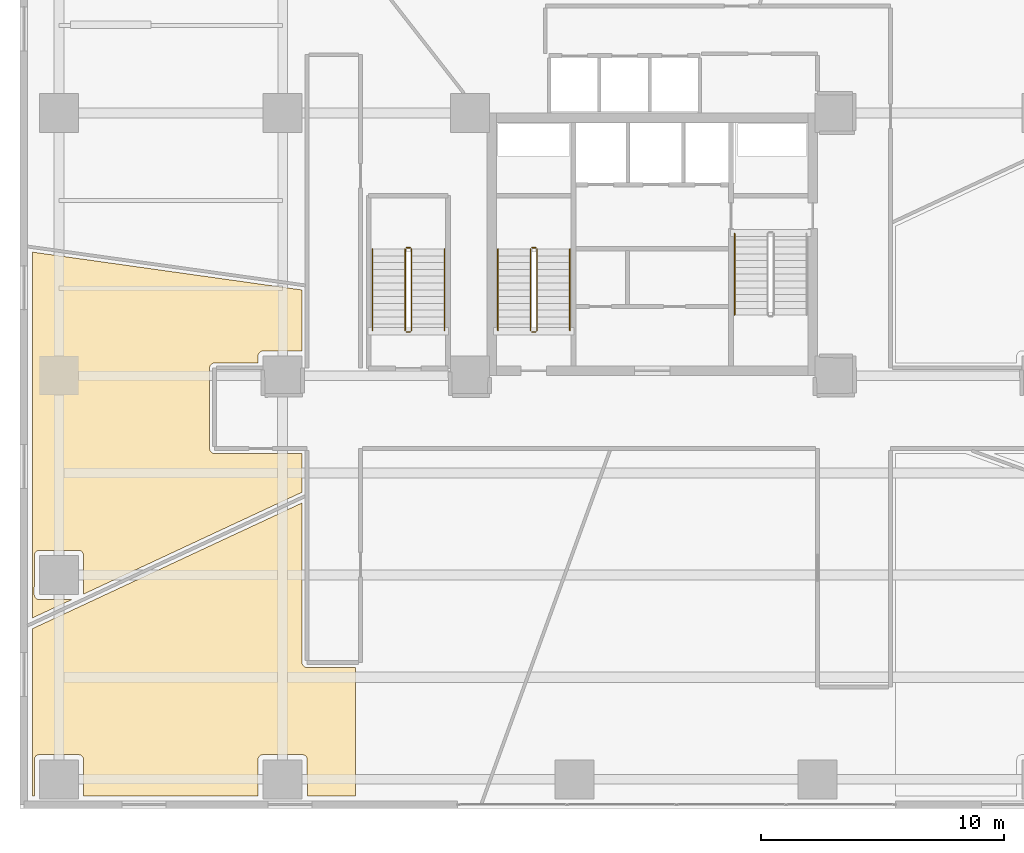
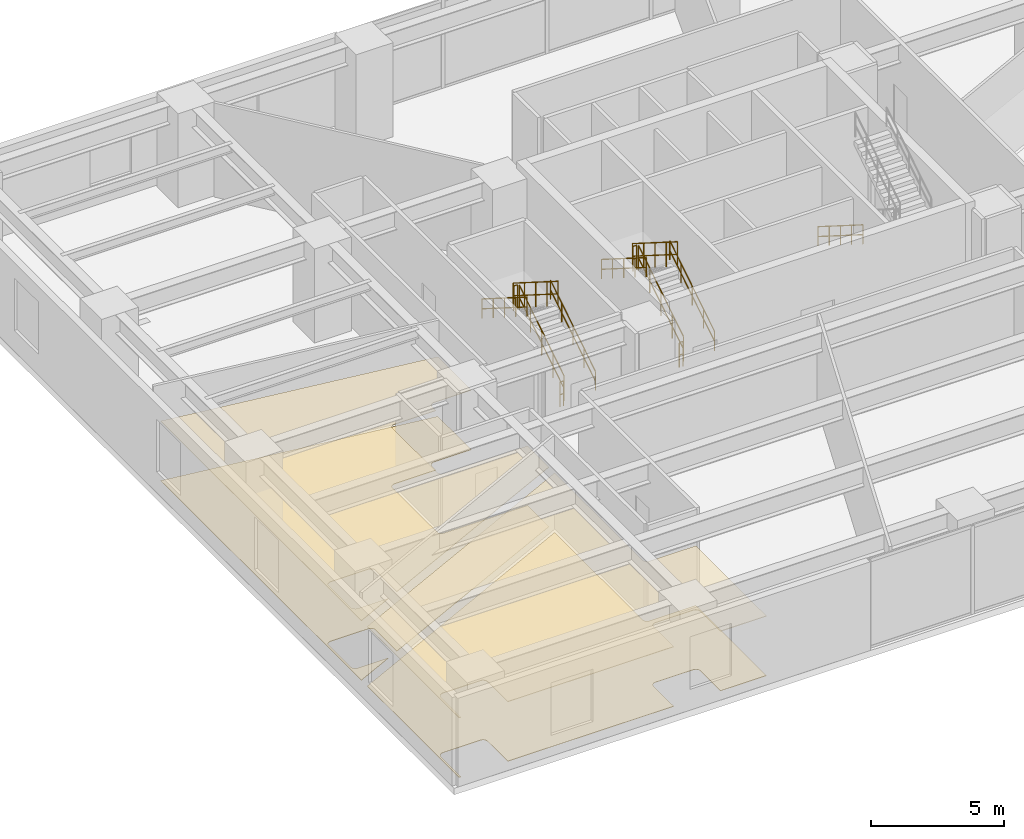
# One storey, part 23 of 25: 13 railings, 4 coverings.
"""IFC4 building model written with IfcOpenShell, lengths in metres."""

from ifc_helpers import new_model, si_unit, direction, frame, origin, origin_2d, place, context, subcontext, project, spatial, polyline, circle, outline, extrude, material, layer, layer_set, type_object, element, save


model = new_model("IFC4")

# Units and contexts
model_context = context("Model", 3, precision=1e-05, world=origin(), true_north=direction((0.0, 1.0)))
body_context = subcontext(model_context, "Body", "Model", "MODEL_VIEW")
ifc_project = project(units=[si_unit("LENGTHUNIT", "METRE"), si_unit("AREAUNIT", "SQUARE_METRE"), si_unit("VOLUMEUNIT", "CUBIC_METRE"), si_unit("PLANEANGLEUNIT", "RADIAN"), si_unit("MASSUNIT", "GRAM", prefix="KILO")], contexts=[model_context])

# Site, building, storey
site_placement = place(None, origin())
site = spatial("IfcSite", under=ifc_project, at=site_placement, CompositionType="ELEMENT")
building_placement = place(site_placement, origin())
building = spatial("IfcBuilding", under=site, at=building_placement, Name="Talar Marvaseh", CompositionType="ELEMENT")
storey_placement = place(building_placement, frame((0.0, 0.0, 5.199951171875)))
storey = spatial("IfcBuildingStorey", under=building, at=storey_placement, Name="L01", CompositionType="ELEMENT", Elevation=5.199951171875)

# Railings
ifc_material_1 = material(Name="Stainless Steel Grade 316", Category="steel")
railing_type_1 = type_object("IfcRailingType", Name="Brushed Stainless Wall Pitch Handrail 900", PredefinedType="HANDRAIL", material=ifc_material_1)
railing_1_placement = place(storey_placement, frame((22.610107421875, 27.64990234375, 0.177001953125)))
element("IfcRailing", 1, at=railing_1_placement, inside=storey, type_object=railing_type_1, Name="L01 ST-1 stair handrail 1", PredefinedType="HANDRAIL", context=body_context, shape_type="SweptSolid", body=[
    extrude(circle(Radius=0.02392578125, at=origin_2d()), frame((0.0, 0.0, 0.8759765625), z_axis=(0.0, 0.845389635667, 0.534150132366), x_axis=(-1.0, 0.0, 0.0)), (0.0, 0.0, 1.0), 3.974609375),
    extrude(circle(Radius=0.02392578125, at=origin_2d()), frame((0.0, 0.0, 0.42578125), z_axis=(0.0, 0.845389635667, 0.534150132366), x_axis=(-1.0, 0.0, 0.0)), (0.0, 0.0, 1.0), 3.974609375),
    extrude(circle(Radius=0.02099609375, at=origin_2d()), origin(), (0.0, 0.0, 1.0), 0.851806640625),
    extrude(circle(Radius=0.02099609375, at=origin_2d()), frame((0.0, 0.840087890625, 0.53076171875)), (0.0, 0.0, 1.0), 0.851806640625),
    extrude(circle(Radius=0.02099609375, at=origin_2d()), frame((0.0, 1.68017578125, 1.0615234375)), (0.0, 0.0, 1.0), 0.851806640625),
    extrude(circle(Radius=0.02099609375, at=origin_2d()), frame((0.0, 2.52001953125, 1.59228515625)), (0.0, 0.0, 1.0), 0.851806640625),
    extrude(circle(Radius=0.02099609375, at=origin_2d()), frame((0.0, 3.360107421875, 2.123046875)), (0.0, 0.0, 1.0), 0.851806640625),
])
railing_2_placement = place(storey_placement, frame((19.64990234375, 31.010009765625, 2.47705078125)))
element("IfcRailing", 2, at=railing_2_placement, inside=storey, type_object=railing_type_1, Name="L01 ST-1 stair handrail 2", PredefinedType="HANDRAIL", context=body_context, shape_type="SweptSolid", body=[
    extrude(circle(Radius=0.02392578125, at=origin_2d()), frame((0.0, 0.0, 0.8759765625), z_axis=(0.0, -0.845389635667, 0.534150132366), x_axis=(1.0, 0.0, 0.0)), (0.0, 0.0, 1.0), 3.974609375),
    extrude(circle(Radius=0.02392578125, at=origin_2d()), frame((0.0, 0.0, 0.42578125), z_axis=(0.0, -0.845389635667, 0.534150132366), x_axis=(1.0, 0.0, 0.0)), (0.0, 0.0, 1.0), 3.974609375),
    extrude(circle(Radius=0.02099609375, at=origin_2d()), origin(), (0.0, 0.0, 1.0), 0.851806640625),
    extrude(circle(Radius=0.02099609375, at=origin_2d()), frame((0.0, -0.840087890625, 0.53076171875)), (0.0, 0.0, 1.0), 0.851806640625),
    extrude(circle(Radius=0.02099609375, at=origin_2d()), frame((0.0, -1.68017578125, 1.0615234375)), (0.0, 0.0, 1.0), 0.851806640625),
    extrude(circle(Radius=0.02099609375, at=origin_2d()), frame((0.0, -2.52001953125, 1.59228515625)), (0.0, 0.0, 1.0), 0.851806640625),
    extrude(circle(Radius=0.02099609375, at=origin_2d()), frame((0.0, -3.360107421875, 2.123046875)), (0.0, 0.0, 1.0), 0.851806640625),
])
railing_3_placement = place(storey_placement, frame((29.389892578125, 31.64990234375, 0.177001953125)))
element("IfcRailing", 3, at=railing_3_placement, inside=storey, type_object=railing_type_1, Name="L01 ST-2 stair handrail 1", PredefinedType="HANDRAIL", context=body_context, shape_type="SweptSolid", body=[
    extrude(circle(Radius=0.02392578125, at=origin_2d()), frame((0.0, 0.0, 0.8759765625), z_axis=(0.0, -0.845372108799, 0.534177870812), x_axis=(1.0, 0.0, 0.0)), (0.0, 0.0, 1.0), 3.974365234375),
    extrude(circle(Radius=0.02392578125, at=origin_2d()), frame((0.0, 0.0, 0.42578125), z_axis=(0.0, -0.845372108799, 0.534177870812), x_axis=(1.0, 0.0, 0.0)), (0.0, 0.0, 1.0), 3.974365234375),
    extrude(circle(Radius=0.02099609375, at=origin_2d()), origin(), (0.0, 0.0, 1.0), 0.851806640625),
    extrude(circle(Radius=0.02099609375, at=origin_2d()), frame((0.0, -0.83984375, 0.53076171875)), (0.0, 0.0, 1.0), 0.851806640625),
    extrude(circle(Radius=0.02099609375, at=origin_2d()), frame((0.0, -1.679931640625, 1.0615234375)), (0.0, 0.0, 1.0), 0.851806640625),
    extrude(circle(Radius=0.02099609375, at=origin_2d()), frame((0.0, -2.52001953125, 1.59228515625)), (0.0, 0.0, 1.0), 0.851806640625),
    extrude(circle(Radius=0.02099609375, at=origin_2d()), frame((0.0, -3.35986328125, 2.123046875)), (0.0, 0.0, 1.0), 0.851806640625),
])
railing_4_placement = place(storey_placement, frame((17.449951171875, 27.64990234375, 0.177001953125)))
element("IfcRailing", 4, at=railing_4_placement, inside=storey, type_object=railing_type_1, Name="L01 ST-3 stair handrail 1", PredefinedType="HANDRAIL", context=body_context, shape_type="SweptSolid", body=[
    extrude(circle(Radius=0.02392578125, at=origin_2d()), frame((0.0, 0.0, 0.8759765625), z_axis=(0.0, 0.845389635667, 0.534150132366), x_axis=(-1.0, 0.0, 0.0)), (0.0, 0.0, 1.0), 3.974609375),
    extrude(circle(Radius=0.02392578125, at=origin_2d()), frame((0.0, 0.0, 0.42578125), z_axis=(0.0, 0.845389635667, 0.534150132366), x_axis=(-1.0, 0.0, 0.0)), (0.0, 0.0, 1.0), 3.974609375),
    extrude(circle(Radius=0.02099609375, at=origin_2d()), origin(), (0.0, 0.0, 1.0), 0.851806640625),
    extrude(circle(Radius=0.02099609375, at=origin_2d()), frame((0.0, 0.840087890625, 0.53076171875)), (0.0, 0.0, 1.0), 0.851806640625),
    extrude(circle(Radius=0.02099609375, at=origin_2d()), frame((0.0, 1.68017578125, 1.0615234375)), (0.0, 0.0, 1.0), 0.851806640625),
    extrude(circle(Radius=0.02099609375, at=origin_2d()), frame((0.0, 2.52001953125, 1.59228515625)), (0.0, 0.0, 1.0), 0.851806640625),
    extrude(circle(Radius=0.02099609375, at=origin_2d()), frame((0.0, 3.360107421875, 2.123046875)), (0.0, 0.0, 1.0), 0.851806640625),
])
railing_5_placement = place(storey_placement, frame((14.489990234375, 31.010009765625, 2.47705078125)))
element("IfcRailing", 5, at=railing_5_placement, inside=storey, type_object=railing_type_1, Name="L01 ST-3 stair handrail 2", PredefinedType="HANDRAIL", context=body_context, shape_type="SweptSolid", body=[
    extrude(circle(Radius=0.02392578125, at=origin_2d()), frame((0.0, 0.0, 0.8759765625), z_axis=(0.0, -0.845389635667, 0.534150132366), x_axis=(1.0, 0.0, 0.0)), (0.0, 0.0, 1.0), 3.974609375),
    extrude(circle(Radius=0.02392578125, at=origin_2d()), frame((0.0, 0.0, 0.42578125), z_axis=(0.0, -0.845389635667, 0.534150132366), x_axis=(1.0, 0.0, 0.0)), (0.0, 0.0, 1.0), 3.974609375),
    extrude(circle(Radius=0.02099609375, at=origin_2d()), origin(), (0.0, 0.0, 1.0), 0.851806640625),
    extrude(circle(Radius=0.02099609375, at=origin_2d()), frame((0.0, -0.840087890625, 0.53076171875)), (0.0, 0.0, 1.0), 0.851806640625),
    extrude(circle(Radius=0.02099609375, at=origin_2d()), frame((0.0, -1.68017578125, 1.0615234375)), (0.0, 0.0, 1.0), 0.851806640625),
    extrude(circle(Radius=0.02099609375, at=origin_2d()), frame((0.0, -2.52001953125, 1.59228515625)), (0.0, 0.0, 1.0), 0.851806640625),
    extrude(circle(Radius=0.02099609375, at=origin_2d()), frame((0.0, -3.360107421875, 2.123046875)), (0.0, 0.0, 1.0), 0.851806640625),
])
railing_type_2 = type_object("IfcRailingType", Name="Painted Steel Core Stair Well Guardrail 1150", PredefinedType="GUARDRAIL", material=ifc_material_1)
railing_6_placement = place(storey_placement, frame((21.260009765625, 27.64990234375, 0.177001953125)))
element("IfcRailing", 6, at=railing_6_placement, inside=storey, type_object=railing_type_2, Name="L01 ST-1 stair guard 1", PredefinedType="GUARDRAIL", context=body_context, shape_type="SweptSolid", body=[
    extrude(circle(Radius=0.02392578125, at=origin_2d()), frame((0.0, 0.0, 1.1259765625), z_axis=(0.0, 0.845389635667, 0.534150132366), x_axis=(-1.0, 0.0, 0.0)), (0.0, 0.0, 1.0), 3.974609375),
    extrude(circle(Radius=0.02392578125, at=origin_2d()), frame((0.0, 0.0, 0.55078125), z_axis=(0.0, 0.845389635667, 0.534150132366), x_axis=(-1.0, 0.0, 0.0)), (0.0, 0.0, 1.0), 3.974609375),
    extrude(circle(Radius=0.02099609375, at=origin_2d()), origin(), (0.0, 0.0, 1.0), 1.101806640625),
    extrude(circle(Radius=0.02099609375, at=origin_2d()), frame((0.0, 0.840087890625, 0.53076171875)), (0.0, 0.0, 1.0), 1.101806640625),
    extrude(circle(Radius=0.02099609375, at=origin_2d()), frame((0.0, 1.68017578125, 1.0615234375)), (0.0, 0.0, 1.0), 1.101806640625),
    extrude(circle(Radius=0.02099609375, at=origin_2d()), frame((0.0, 2.52001953125, 1.59228515625)), (0.0, 0.0, 1.0), 1.101806640625),
    extrude(circle(Radius=0.02099609375, at=origin_2d()), frame((0.0, 3.360107421875, 2.123046875)), (0.0, 0.0, 1.0), 1.101806640625),
])
railing_7_placement = place(storey_placement, frame((21.2099609375, 31.06005859375, 2.300048828125)))
element("IfcRailing", 7, at=railing_7_placement, inside=storey, type_object=railing_type_2, Name="L01 ST-1 stair guard 2", PredefinedType="GUARDRAIL", context=body_context, shape_type="SweptSolid", body=[
    extrude(circle(Radius=0.02392578125, at=origin_2d()), frame((0.0, 0.0, 1.1259765625), z_axis=(-1.0, 0.0, 0.0), x_axis=(0.0, -1.0, 0.0)), (0.0, 0.0, 1.0), 0.159912109375),
    extrude(circle(Radius=0.02392578125, at=origin_2d()), frame((0.0, 0.0, 0.55078125), z_axis=(-1.0, 0.0, 0.0), x_axis=(0.0, -1.0, 0.0)), (0.0, 0.0, 1.0), 0.159912109375),
    extrude(circle(Radius=0.02099609375, at=origin_2d()), origin(), (0.0, 0.0, 1.0), 1.101806640625),
    extrude(circle(Radius=0.02099609375, at=origin_2d()), frame((-0.159912109375, 0.0, 0.0)), (0.0, 0.0, 1.0), 1.101806640625),
])
railing_8_placement = place(storey_placement, frame((21.0, 31.010009765625, 2.47705078125)))
element("IfcRailing", 8, at=railing_8_placement, inside=storey, type_object=railing_type_2, Name="L01 ST-1 stair guard 3", PredefinedType="GUARDRAIL", context=body_context, shape_type="SweptSolid", body=[
    extrude(circle(Radius=0.02392578125, at=origin_2d()), frame((0.0, 0.0, 1.1259765625), z_axis=(0.0, -0.845389635667, 0.534150132366), x_axis=(1.0, 0.0, 0.0)), (0.0, 0.0, 1.0), 3.974609375),
    extrude(circle(Radius=0.02392578125, at=origin_2d()), frame((0.0, 0.0, 0.55078125), z_axis=(0.0, -0.845389635667, 0.534150132366), x_axis=(1.0, 0.0, 0.0)), (0.0, 0.0, 1.0), 3.974609375),
    extrude(circle(Radius=0.02099609375, at=origin_2d()), origin(), (0.0, 0.0, 1.0), 1.101806640625),
    extrude(circle(Radius=0.02099609375, at=origin_2d()), frame((0.0, -0.840087890625, 0.53076171875)), (0.0, 0.0, 1.0), 1.101806640625),
    extrude(circle(Radius=0.02099609375, at=origin_2d()), frame((0.0, -1.68017578125, 1.0615234375)), (0.0, 0.0, 1.0), 1.101806640625),
    extrude(circle(Radius=0.02099609375, at=origin_2d()), frame((0.0, -2.52001953125, 1.59228515625)), (0.0, 0.0, 1.0), 1.101806640625),
    extrude(circle(Radius=0.02099609375, at=origin_2d()), frame((0.0, -3.360107421875, 2.123046875)), (0.0, 0.0, 1.0), 1.101806640625),
])
railing_9_placement = place(storey_placement, frame((21.2099609375, 27.60009765625, 0.0)))
element("IfcRailing", 9, at=railing_9_placement, inside=storey, type_object=railing_type_2, Name="L01 ST-1 stair guard 4", PredefinedType="GUARDRAIL", context=body_context, shape_type="SweptSolid", body=[
    extrude(circle(Radius=0.02392578125, at=origin_2d()), frame((0.0, 0.0, 1.1259765625), z_axis=(-1.0, 0.0, 0.0), x_axis=(0.0, -1.0, 0.0)), (0.0, 0.0, 1.0), 0.159912109375),
    extrude(circle(Radius=0.02392578125, at=origin_2d()), frame((0.0, 0.0, 0.55078125), z_axis=(-1.0, 0.0, 0.0), x_axis=(0.0, -1.0, 0.0)), (0.0, 0.0, 1.0), 0.159912109375),
    extrude(circle(Radius=0.02099609375, at=origin_2d()), origin(), (0.0, 0.0, 1.0), 1.101806640625),
    extrude(circle(Radius=0.02099609375, at=origin_2d()), frame((-0.159912109375, 0.0, 0.0)), (0.0, 0.0, 1.0), 1.101806640625),
])
railing_10_placement = place(storey_placement, frame((16.10009765625, 27.64990234375, 0.177001953125)))
element("IfcRailing", 10, at=railing_10_placement, inside=storey, type_object=railing_type_2, Name="L01 ST-3 stair guard 1", PredefinedType="GUARDRAIL", context=body_context, shape_type="SweptSolid", body=[
    extrude(circle(Radius=0.02392578125, at=origin_2d()), frame((0.0, 0.0, 1.1259765625), z_axis=(0.0, 0.845389635667, 0.534150132366), x_axis=(-1.0, 0.0, 0.0)), (0.0, 0.0, 1.0), 3.974609375),
    extrude(circle(Radius=0.02392578125, at=origin_2d()), frame((0.0, 0.0, 0.55078125), z_axis=(0.0, 0.845389635667, 0.534150132366), x_axis=(-1.0, 0.0, 0.0)), (0.0, 0.0, 1.0), 3.974609375),
    extrude(circle(Radius=0.02099609375, at=origin_2d()), origin(), (0.0, 0.0, 1.0), 1.101806640625),
    extrude(circle(Radius=0.02099609375, at=origin_2d()), frame((0.0, 0.840087890625, 0.53076171875)), (0.0, 0.0, 1.0), 1.101806640625),
    extrude(circle(Radius=0.02099609375, at=origin_2d()), frame((0.0, 1.68017578125, 1.0615234375)), (0.0, 0.0, 1.0), 1.101806640625),
    extrude(circle(Radius=0.02099609375, at=origin_2d()), frame((0.0, 2.52001953125, 1.59228515625)), (0.0, 0.0, 1.0), 1.101806640625),
    extrude(circle(Radius=0.02099609375, at=origin_2d()), frame((0.0, 3.360107421875, 2.123046875)), (0.0, 0.0, 1.0), 1.101806640625),
])
railing_11_placement = place(storey_placement, frame((16.050048828125, 31.06005859375, 2.300048828125)))
element("IfcRailing", 11, at=railing_11_placement, inside=storey, type_object=railing_type_2, Name="L01 ST-3 stair guard 2", PredefinedType="GUARDRAIL", context=body_context, shape_type="SweptSolid", body=[
    extrude(circle(Radius=0.02392578125, at=origin_2d()), frame((0.0, 0.0, 1.1259765625), z_axis=(-1.0, 0.0, 0.0), x_axis=(0.0, -1.0, 0.0)), (0.0, 0.0, 1.0), 0.16015625),
    extrude(circle(Radius=0.02392578125, at=origin_2d()), frame((0.0, 0.0, 0.55078125), z_axis=(-1.0, 0.0, 0.0), x_axis=(0.0, -1.0, 0.0)), (0.0, 0.0, 1.0), 0.16015625),
    extrude(circle(Radius=0.02099609375, at=origin_2d()), origin(), (0.0, 0.0, 1.0), 1.101806640625),
    extrude(circle(Radius=0.02099609375, at=origin_2d()), frame((-0.16015625, 0.0, 0.0)), (0.0, 0.0, 1.0), 1.101806640625),
])
railing_12_placement = place(storey_placement, frame((15.840087890625, 31.010009765625, 2.47705078125)))
element("IfcRailing", 12, at=railing_12_placement, inside=storey, type_object=railing_type_2, Name="L01 ST-3 stair guard 3", PredefinedType="GUARDRAIL", context=body_context, shape_type="SweptSolid", body=[
    extrude(circle(Radius=0.02392578125, at=origin_2d()), frame((0.0, 0.0, 1.1259765625), z_axis=(0.0, -0.845389635667, 0.534150132366), x_axis=(1.0, 0.0, 0.0)), (0.0, 0.0, 1.0), 3.974609375),
    extrude(circle(Radius=0.02392578125, at=origin_2d()), frame((0.0, 0.0, 0.55078125), z_axis=(0.0, -0.845389635667, 0.534150132366), x_axis=(1.0, 0.0, 0.0)), (0.0, 0.0, 1.0), 3.974609375),
    extrude(circle(Radius=0.02099609375, at=origin_2d()), origin(), (0.0, 0.0, 1.0), 1.101806640625),
    extrude(circle(Radius=0.02099609375, at=origin_2d()), frame((0.0, -0.840087890625, 0.53076171875)), (0.0, 0.0, 1.0), 1.101806640625),
    extrude(circle(Radius=0.02099609375, at=origin_2d()), frame((0.0, -1.68017578125, 1.0615234375)), (0.0, 0.0, 1.0), 1.101806640625),
    extrude(circle(Radius=0.02099609375, at=origin_2d()), frame((0.0, -2.52001953125, 1.59228515625)), (0.0, 0.0, 1.0), 1.101806640625),
    extrude(circle(Radius=0.02099609375, at=origin_2d()), frame((0.0, -3.360107421875, 2.123046875)), (0.0, 0.0, 1.0), 1.101806640625),
])
railing_13_placement = place(storey_placement, frame((16.050048828125, 27.60009765625, 0.0)))
element("IfcRailing", 13, at=railing_13_placement, inside=storey, type_object=railing_type_2, Name="L01 ST-3 stair guard 4", PredefinedType="GUARDRAIL", context=body_context, shape_type="SweptSolid", body=[
    extrude(circle(Radius=0.02392578125, at=origin_2d()), frame((0.0, 0.0, 1.1259765625), z_axis=(-1.0, 0.0, 0.0), x_axis=(0.0, -1.0, 0.0)), (0.0, 0.0, 1.0), 0.16015625),
    extrude(circle(Radius=0.02392578125, at=origin_2d()), frame((0.0, 0.0, 0.55078125), z_axis=(-1.0, 0.0, 0.0), x_axis=(0.0, -1.0, 0.0)), (0.0, 0.0, 1.0), 0.16015625),
    extrude(circle(Radius=0.02099609375, at=origin_2d()), origin(), (0.0, 0.0, 1.0), 1.101806640625),
    extrude(circle(Radius=0.02099609375, at=origin_2d()), frame((-0.16015625, 0.0, 0.0)), (0.0, 0.0, 1.0), 1.101806640625),
])

# Coverings
ifc_material_2 = material(Name="Mineral Fibre Acoustic Ceiling")
ifc_layer_1 = layer(ifc_material_2, 0.02490234375)
ifc_layer_set_1 = layer_set([ifc_layer_1], Name="Mineral Fibre Acoustic Ceiling")
covering_type_1 = type_object("IfcCoveringType", Name="Perforated Mineral Fibre Acoustic Suspended Ceiling", PredefinedType="CEILING", material=ifc_layer_set_1)
covering_1_placement = place(storey_placement, frame((0.0, 0.0, 2.719970703125)))
element("IfcCovering", 14, at=covering_1_placement, inside=storey, type_object=covering_type_1, Name="L01 Accessible WC Block Acoustic Ceiling", PredefinedType="CEILING", context=body_context, shape_type="SweptSolid", body=[
    extrude(outline(polyline([(0.6953125, 16.614501953125), (0.71142578125, 16.605712890625), (0.728271484375, 16.598388671875), (0.745849609375, 16.592529296875), (0.763916015625, 16.58837890625), (0.781982421875, 16.585693359375), (0.800537109375, 16.5849609375), (2.127197265625, 16.588623046875), (0.510009765625, 15.83447265625), (0.510009765625, 30.88037109375), (11.60009765625, 29.32177734375), (11.60009765625, 26.81494140625), (11.599853515625, 26.81494140625), (9.99560546875, 26.814453125), (9.976806640625, 26.8134765625), (9.958251953125, 26.810791015625), (9.940185546875, 26.806396484375), (9.92236328125, 26.800537109375), (9.9052734375, 26.79296875), (9.888916015625, 26.78369140625), (9.873779296875, 26.77294921875), (9.859375, 26.760986328125), (9.84619140625, 26.74755859375), (9.83447265625, 26.73291015625), (9.823974609375, 26.718505859375), (9.812255859375, 26.700927734375), (9.802490234375, 26.68212890625), (9.794921875, 26.662353515625), (9.78955078125, 26.64208984375), (9.7861328125, 26.62109375), (9.784912109375, 26.60009765625), (9.784912109375, 26.320068359375), (8.0, 26.320068359375), (7.98046875, 26.319091796875), (7.9609375, 26.316162109375), (7.94189453125, 26.311279296875), (7.923583984375, 26.3046875), (7.90576171875, 26.29638671875), (7.888916015625, 26.286376953125), (7.873046875, 26.274658203125), (7.858642578125, 26.261474609375), (7.845458984375, 26.246826171875), (7.833740234375, 26.231201171875), (7.823486328125, 26.21435546875), (7.815185546875, 26.196533203125), (7.80859375, 26.177978515625), (7.8037109375, 26.158935546875), (7.801025390625, 26.1396484375), (7.800048828125, 26.1201171875), (7.800048828125, 22.800048828125), (7.801025390625, 22.780517578125), (7.8037109375, 22.760986328125), (7.80859375, 22.741943359375), (7.815185546875, 22.723388671875), (7.823486328125, 22.705810546875), (7.833740234375, 22.68896484375), (7.845458984375, 22.673095703125), (7.858642578125, 22.65869140625), (7.873046875, 22.6455078125), (7.888916015625, 22.6337890625), (7.90576171875, 22.62353515625), (7.923583984375, 22.615234375), (7.94189453125, 22.608642578125), (7.9609375, 22.603759765625), (7.98046875, 22.60107421875), (8.0, 22.60009765625), (11.60009765625, 22.60009765625), (11.60009765625, 21.005859375), (2.610595703125, 16.81396484375), (2.610595703125, 18.41064453125), (2.609619140625, 18.43017578125), (2.606689453125, 18.44970703125), (2.60205078125, 18.46875), (2.595458984375, 18.487060546875), (2.5869140625, 18.5048828125), (2.576904296875, 18.521728515625), (2.565185546875, 18.53759765625), (2.552001953125, 18.552001953125), (2.53759765625, 18.565185546875), (2.521728515625, 18.576904296875), (2.5048828125, 18.5869140625), (2.487060546875, 18.595458984375), (2.46875, 18.60205078125), (2.44970703125, 18.606689453125), (2.43017578125, 18.609619140625), (2.41064453125, 18.610595703125), (0.789306640625, 18.610595703125), (0.769775390625, 18.609619140625), (0.75048828125, 18.606689453125), (0.7314453125, 18.60205078125), (0.712890625, 18.595458984375), (0.6953125, 18.587158203125), (0.678466796875, 18.576904296875), (0.66259765625, 18.5654296875), (0.648193359375, 18.55224609375), (0.635009765625, 18.53759765625), (0.623291015625, 18.52197265625), (0.61328125, 18.505126953125), (0.604736328125, 18.487548828125), (0.59814453125, 18.468994140625), (0.59326171875, 18.4501953125), (0.59033203125, 18.4306640625), (0.58935546875, 18.4111328125), (0.585205078125, 16.799072265625), (0.5859375, 16.780517578125), (0.58837890625, 16.761962890625), (0.5927734375, 16.743896484375), (0.5986328125, 16.726318359375), (0.606201171875, 16.709228515625), (0.615234375, 16.693115234375), (0.625732421875, 16.677734375), (0.6376953125, 16.663330078125), (0.65087890625, 16.650390625), (0.665771484375, 16.63671875), (0.679931640625, 16.625), (0.6953125, 16.614501953125)])), origin(), (0.0, 0.0, 1.0), 0.025146484375),
])
covering_2_placement = place(storey_placement, frame((0.0, 0.0, 2.719970703125)))
element("IfcCovering", 15, at=covering_2_placement, inside=storey, type_object=covering_type_1, Name="L01 Station Mezzanine Balcony Foyer Acoustic Ceiling", PredefinedType="CEILING", context=body_context, shape_type="SweptSolid", body=[
    extrude(outline(polyline([(11.60009765625, 14.0), (11.60107421875, 13.98046875), (11.603759765625, 13.9609375), (11.608642578125, 13.94189453125), (11.615234375, 13.923583984375), (11.62353515625, 13.90576171875), (11.6337890625, 13.888916015625), (11.6455078125, 13.873046875), (11.65869140625, 13.858642578125), (11.673095703125, 13.845458984375), (11.68896484375, 13.833740234375), (11.705810546875, 13.823486328125), (11.723388671875, 13.815185546875), (11.741943359375, 13.80859375), (11.760986328125, 13.8037109375), (11.780517578125, 13.801025390625), (11.800048828125, 13.800048828125), (13.800048828125, 13.800048828125), (13.800048828125, 8.510009765625), (11.814697265625, 8.510009765625), (11.810546875, 10.010986328125), (11.8095703125, 10.03076171875), (11.806640625, 10.050048828125), (11.802001953125, 10.069091796875), (11.795166015625, 10.08740234375), (11.786865234375, 10.105224609375), (11.776611328125, 10.1220703125), (11.764892578125, 10.1376953125), (11.751708984375, 10.152099609375), (11.7373046875, 10.165283203125), (11.721435546875, 10.177001953125), (11.70458984375, 10.18701171875), (11.68701171875, 10.1953125), (11.668701171875, 10.201904296875), (11.649658203125, 10.206787109375), (11.630126953125, 10.209716796875), (11.610595703125, 10.210693359375), (9.989501953125, 10.210693359375), (9.9697265625, 10.209716796875), (9.950439453125, 10.206787109375), (9.931396484375, 10.201904296875), (9.912841796875, 10.1953125), (9.89501953125, 10.18701171875), (9.87841796875, 10.177001953125), (9.862548828125, 10.165283203125), (9.847900390625, 10.152099609375), (9.834716796875, 10.137451171875), (9.822998046875, 10.12158203125), (9.81298828125, 10.10498046875), (9.8046875, 10.087158203125), (9.798095703125, 10.068603515625), (9.793212890625, 10.049560546875), (9.790283203125, 10.0302734375), (9.789306640625, 10.010498046875), (9.789306640625, 8.510009765625), (2.61474609375, 8.510009765625), (2.610595703125, 10.010986328125), (2.609619140625, 10.03076171875), (2.606689453125, 10.050048828125), (2.601806640625, 10.069091796875), (2.59521484375, 10.08740234375), (2.5869140625, 10.105224609375), (2.57666015625, 10.1220703125), (2.56494140625, 10.1376953125), (2.5517578125, 10.152099609375), (2.537353515625, 10.165283203125), (2.521484375, 10.177001953125), (2.504638671875, 10.18701171875), (2.487060546875, 10.1953125), (2.468505859375, 10.201904296875), (2.44970703125, 10.206787109375), (2.43017578125, 10.209716796875), (2.41064453125, 10.210693359375), (0.789306640625, 10.210693359375), (0.769775390625, 10.209716796875), (0.75048828125, 10.206787109375), (0.731201171875, 10.201904296875), (0.712890625, 10.1953125), (0.695068359375, 10.18701171875), (0.67822265625, 10.177001953125), (0.66259765625, 10.165283203125), (0.64794921875, 10.152099609375), (0.634765625, 10.137451171875), (0.623046875, 10.12158203125), (0.613037109375, 10.10498046875), (0.6044921875, 10.087158203125), (0.597900390625, 10.068603515625), (0.59326171875, 10.049560546875), (0.59033203125, 10.0302734375), (0.58935546875, 10.010498046875), (0.58935546875, 8.510009765625), (0.510009765625, 8.510009765625), (0.510009765625, 15.393310546875), (11.60009765625, 20.564453125), (11.60009765625, 14.0)])), origin(), (0.0, 0.0, 1.0), 0.025146484375),
])
ifc_material_3 = material(Name="Porcelain Stoneware Tile", Category="masonry")
ifc_layer_2 = layer(ifc_material_3, 0.02001953125)
ifc_layer_set_2 = layer_set([ifc_layer_2], Name="Porcelain Stoneware Tile")
covering_type_2 = type_object("IfcCoveringType", Name="Polished Porcelain Stoneware Gallery Flooring", PredefinedType="FLOORING", material=ifc_layer_set_2)
covering_3_placement = place(storey_placement, origin())
element("IfcCovering", 16, at=covering_3_placement, inside=storey, type_object=covering_type_2, Name="L01 Accessible WC Block Flooring", PredefinedType="FLOORING", context=body_context, shape_type="SweptSolid", body=[
    extrude(outline(polyline([(0.6953125, 16.614501953125), (0.71142578125, 16.605712890625), (0.728271484375, 16.598388671875), (0.745849609375, 16.592529296875), (0.763916015625, 16.58837890625), (0.781982421875, 16.585693359375), (0.800537109375, 16.5849609375), (2.127197265625, 16.588623046875), (0.510009765625, 15.83447265625), (0.510009765625, 30.88037109375), (11.60009765625, 29.32177734375), (11.60009765625, 26.81494140625), (11.599853515625, 26.81494140625), (9.99560546875, 26.814453125), (9.976806640625, 26.8134765625), (9.958251953125, 26.810791015625), (9.940185546875, 26.806396484375), (9.92236328125, 26.800537109375), (9.9052734375, 26.79296875), (9.888916015625, 26.78369140625), (9.873779296875, 26.77294921875), (9.859375, 26.760986328125), (9.84619140625, 26.74755859375), (9.83447265625, 26.73291015625), (9.823974609375, 26.718505859375), (9.812255859375, 26.700927734375), (9.802490234375, 26.68212890625), (9.794921875, 26.662353515625), (9.78955078125, 26.64208984375), (9.7861328125, 26.62109375), (9.784912109375, 26.60009765625), (9.784912109375, 26.320068359375), (8.0, 26.320068359375), (7.98046875, 26.319091796875), (7.9609375, 26.316162109375), (7.94189453125, 26.311279296875), (7.923583984375, 26.3046875), (7.90576171875, 26.29638671875), (7.888916015625, 26.286376953125), (7.873046875, 26.274658203125), (7.858642578125, 26.261474609375), (7.845458984375, 26.246826171875), (7.833740234375, 26.231201171875), (7.823486328125, 26.21435546875), (7.815185546875, 26.196533203125), (7.80859375, 26.177978515625), (7.8037109375, 26.158935546875), (7.801025390625, 26.1396484375), (7.800048828125, 26.1201171875), (7.800048828125, 22.800048828125), (7.801025390625, 22.780517578125), (7.8037109375, 22.760986328125), (7.80859375, 22.741943359375), (7.815185546875, 22.723388671875), (7.823486328125, 22.705810546875), (7.833740234375, 22.68896484375), (7.845458984375, 22.673095703125), (7.858642578125, 22.65869140625), (7.873046875, 22.6455078125), (7.888916015625, 22.6337890625), (7.90576171875, 22.62353515625), (7.923583984375, 22.615234375), (7.94189453125, 22.608642578125), (7.9609375, 22.603759765625), (7.98046875, 22.60107421875), (8.0, 22.60009765625), (11.60009765625, 22.60009765625), (11.60009765625, 21.005859375), (2.610595703125, 16.81396484375), (2.610595703125, 18.41064453125), (2.609619140625, 18.43017578125), (2.606689453125, 18.44970703125), (2.60205078125, 18.46875), (2.595458984375, 18.487060546875), (2.5869140625, 18.5048828125), (2.576904296875, 18.521728515625), (2.565185546875, 18.53759765625), (2.552001953125, 18.552001953125), (2.53759765625, 18.565185546875), (2.521728515625, 18.576904296875), (2.5048828125, 18.5869140625), (2.487060546875, 18.595458984375), (2.46875, 18.60205078125), (2.44970703125, 18.606689453125), (2.43017578125, 18.609619140625), (2.41064453125, 18.610595703125), (0.789306640625, 18.610595703125), (0.769775390625, 18.609619140625), (0.75048828125, 18.606689453125), (0.7314453125, 18.60205078125), (0.712890625, 18.595458984375), (0.6953125, 18.587158203125), (0.678466796875, 18.576904296875), (0.66259765625, 18.5654296875), (0.648193359375, 18.55224609375), (0.635009765625, 18.53759765625), (0.623291015625, 18.52197265625), (0.61328125, 18.505126953125), (0.604736328125, 18.487548828125), (0.59814453125, 18.468994140625), (0.59326171875, 18.4501953125), (0.59033203125, 18.4306640625), (0.58935546875, 18.4111328125), (0.585205078125, 16.799072265625), (0.5859375, 16.780517578125), (0.58837890625, 16.761962890625), (0.5927734375, 16.743896484375), (0.5986328125, 16.726318359375), (0.606201171875, 16.709228515625), (0.615234375, 16.693115234375), (0.625732421875, 16.677734375), (0.6376953125, 16.663330078125), (0.65087890625, 16.650390625), (0.665771484375, 16.63671875), (0.679931640625, 16.625), (0.6953125, 16.614501953125)])), origin(), (0.0, 0.0, 1.0), 0.02001953125),
])
covering_4_placement = place(storey_placement, origin())
element("IfcCovering", 17, at=covering_4_placement, inside=storey, type_object=covering_type_2, Name="L01 Station Mezzanine Balcony Foyer Flooring", PredefinedType="FLOORING", context=body_context, shape_type="SweptSolid", body=[
    extrude(outline(polyline([(11.60009765625, 14.0), (11.60107421875, 13.98046875), (11.603759765625, 13.9609375), (11.608642578125, 13.94189453125), (11.615234375, 13.923583984375), (11.62353515625, 13.90576171875), (11.6337890625, 13.888916015625), (11.6455078125, 13.873046875), (11.65869140625, 13.858642578125), (11.673095703125, 13.845458984375), (11.68896484375, 13.833740234375), (11.705810546875, 13.823486328125), (11.723388671875, 13.815185546875), (11.741943359375, 13.80859375), (11.760986328125, 13.8037109375), (11.780517578125, 13.801025390625), (11.800048828125, 13.800048828125), (13.800048828125, 13.800048828125), (13.800048828125, 8.510009765625), (11.814697265625, 8.510009765625), (11.810546875, 10.010986328125), (11.8095703125, 10.03076171875), (11.806640625, 10.050048828125), (11.802001953125, 10.069091796875), (11.795166015625, 10.08740234375), (11.786865234375, 10.105224609375), (11.776611328125, 10.1220703125), (11.764892578125, 10.1376953125), (11.751708984375, 10.152099609375), (11.7373046875, 10.165283203125), (11.721435546875, 10.177001953125), (11.70458984375, 10.18701171875), (11.68701171875, 10.1953125), (11.668701171875, 10.201904296875), (11.649658203125, 10.206787109375), (11.630126953125, 10.209716796875), (11.610595703125, 10.210693359375), (9.989501953125, 10.210693359375), (9.9697265625, 10.209716796875), (9.950439453125, 10.206787109375), (9.931396484375, 10.201904296875), (9.912841796875, 10.1953125), (9.89501953125, 10.18701171875), (9.87841796875, 10.177001953125), (9.862548828125, 10.165283203125), (9.847900390625, 10.152099609375), (9.834716796875, 10.137451171875), (9.822998046875, 10.12158203125), (9.81298828125, 10.10498046875), (9.8046875, 10.087158203125), (9.798095703125, 10.068603515625), (9.793212890625, 10.049560546875), (9.790283203125, 10.0302734375), (9.789306640625, 10.010498046875), (9.789306640625, 8.510009765625), (2.61474609375, 8.510009765625), (2.610595703125, 10.010986328125), (2.609619140625, 10.03076171875), (2.606689453125, 10.050048828125), (2.601806640625, 10.069091796875), (2.59521484375, 10.08740234375), (2.5869140625, 10.105224609375), (2.57666015625, 10.1220703125), (2.56494140625, 10.1376953125), (2.5517578125, 10.152099609375), (2.537353515625, 10.165283203125), (2.521484375, 10.177001953125), (2.504638671875, 10.18701171875), (2.487060546875, 10.1953125), (2.468505859375, 10.201904296875), (2.44970703125, 10.206787109375), (2.43017578125, 10.209716796875), (2.41064453125, 10.210693359375), (0.789306640625, 10.210693359375), (0.769775390625, 10.209716796875), (0.75048828125, 10.206787109375), (0.731201171875, 10.201904296875), (0.712890625, 10.1953125), (0.695068359375, 10.18701171875), (0.67822265625, 10.177001953125), (0.66259765625, 10.165283203125), (0.64794921875, 10.152099609375), (0.634765625, 10.137451171875), (0.623046875, 10.12158203125), (0.613037109375, 10.10498046875), (0.6044921875, 10.087158203125), (0.597900390625, 10.068603515625), (0.59326171875, 10.049560546875), (0.59033203125, 10.0302734375), (0.58935546875, 10.010498046875), (0.58935546875, 8.510009765625), (0.510009765625, 8.510009765625), (0.510009765625, 15.393310546875), (11.60009765625, 20.564453125), (11.60009765625, 14.0)])), origin(), (0.0, 0.0, 1.0), 0.02001953125),
])

save(model, "model.ifc")
